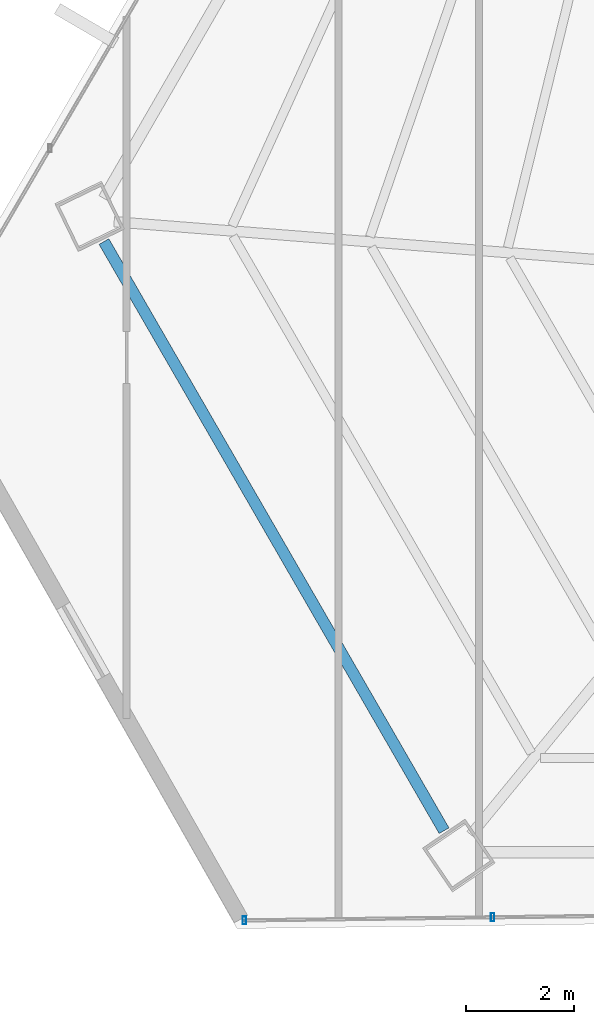
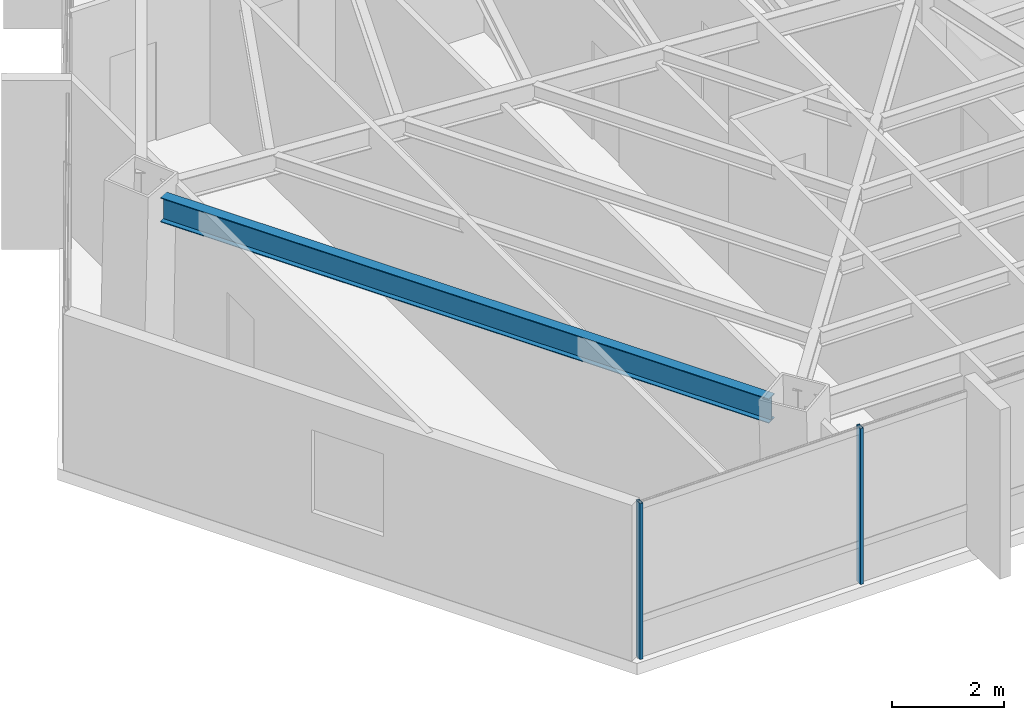
# One storey, part 2 of 42: 2 members, 1 beam, 1 element without a shape of its own.
"""IFC4 building model written with IfcOpenShell, lengths in metres."""

from ifc_helpers import new_model, si_unit, direction, frame, origin, origin_2d, place, context, subcontext, project, spatial, hollow_rectangle, i_section, extrude, source, transform, mapped, material, material_profile, profile_set, type_object, type_shapes, element, aggregate, save


model = new_model("IFC4")

# Units and contexts
model_context = context("Model", 3, precision=1e-05, world=origin(), true_north=direction((0.0, 1.0)))
body_context = subcontext(model_context, "Body", "Model", "MODEL_VIEW")
ifc_project = project(units=[si_unit("LENGTHUNIT", "METRE"), si_unit("AREAUNIT", "SQUARE_METRE"), si_unit("VOLUMEUNIT", "CUBIC_METRE"), si_unit("PLANEANGLEUNIT", "RADIAN"), si_unit("MASSUNIT", "GRAM", prefix="KILO")], contexts=[model_context])

# Site, building, storey
site_placement = place(None, origin())
site = spatial("IfcSite", under=ifc_project, at=site_placement, CompositionType="ELEMENT")
building_placement = place(site_placement, origin())
building = spatial("IfcBuilding", under=site, at=building_placement, Name="Caelisora Broadcast Tower", CompositionType="ELEMENT")
storey_placement = place(building_placement, frame((0.0, 0.0, 131.800048828125)))
storey = spatial("IfcBuildingStorey", under=building, at=storey_placement, Name="L34", CompositionType="ELEMENT", Elevation=131.800048828125)

# Beam
ifc_material_1 = material(Name="Steel Grade 350 (AS/NZS 3679.1)", Category="steel")
ifc_material_profile_1 = material_profile(ifc_material_1, i_section(OverallWidth=0.208984375, OverallDepth=0.532958984375, WebThickness=0.01025390625, FlangeThickness=0.015625, at=origin_2d()), Name="Steel Grade 350 (AS/NZS 3679.1)")
ifc_profile_set_1 = profile_set([ifc_material_profile_1], Name="Steel Grade 350 (AS/NZS 3679.1)")
beam_type = type_object("IfcBeamType", Name="PG05", PredefinedType="BEAM", material=ifc_profile_set_1)
shared_shape_1 = source(origin(), body_context, "Body", "SweptSolid", [
    extrude(i_section(OverallWidth=0.208984375, OverallDepth=0.532958984375, WebThickness=0.01025390625, FlangeThickness=0.015625, at=origin_2d()), origin(), (0.0, 0.0, 1.0), 12.55029296875),
])
type_shapes(beam_type, [shared_shape_1])
beam_placement = place(storey_placement, frame((15.409912109375, 18.20361328125, 3.133544921875), z_axis=(0.499999173725, -0.866025880834, 0.0), x_axis=(0.866025880834, 0.499999173725, 0.0)))
element("IfcBeam", 1, at=beam_placement, inside=storey, type_object=beam_type, Name="L34 beam PG05", PredefinedType="BEAM", context=body_context, shape_type="MappedRepresentation", body=[
    mapped(shared_shape_1, transform((0.0, 0.0, 0.0), scale=1.0)),
])

# Curtain wall, members
ifc_material_2 = material(Name="Unitised Aluminium and Low-E Glass Curtain Wall", Category="glass")
curtain_wall_type = type_object("IfcCurtainWallType", Name="CW-Z3", PredefinedType="NOTDEFINED", material=ifc_material_2)
curtain_wall_placement = place(storey_placement, origin())
curtain_wall = element("IfcCurtainWall", 2, at=curtain_wall_placement, inside=storey, type_object=curtain_wall_type, Name="L34 curtain wall CW-Z3", PredefinedType="NOTDEFINED")
ifc_material_3 = material(Name="Aluminium 6063-T6 Anodised Terracotta Bronze", Category="aluminium")
ifc_material_profile_2 = material_profile(ifc_material_3, hollow_rectangle(XDim=0.06005859375, YDim=0.14990234375, WallThickness=0.00341796875, at=origin_2d()), Name="Aluminium 6063-T6 Anodised Terracotta Bronze")
ifc_profile_set_2 = profile_set([ifc_material_profile_2], Name="Aluminium 6063-T6 Anodised Terracotta Bronze")
member_type = type_object("IfcMemberType", Name="CWM-03", PredefinedType="MULLION", material=ifc_profile_set_2)
shared_shape_2 = source(origin(), body_context, "Body", "SweptSolid", [
    extrude(hollow_rectangle(XDim=0.06005859375, YDim=0.14990234375, WallThickness=0.00341796875, at=origin_2d()), origin(), (0.0, 0.0, 1.0), 3.39990234375),
])
type_shapes(member_type, [shared_shape_2])
member_1_placement = place(storey_placement, frame((22.58056640625, 5.737060546875, 0.0), z_axis=(0.0, 0.0, 1.0), x_axis=(1.0, 0.0, 0.0)))
member_1 = element("IfcMember", 3, at=member_1_placement, type_object=member_type, Name="L34-CW-B07 mullion #2", PredefinedType="MULLION", context=body_context, shape_type="MappedRepresentation", body=[
    mapped(shared_shape_2, transform((0.0, 0.0, 0.0), scale=1.0)),
])
member_2_placement = place(storey_placement, frame((18.001953125, 5.6796875, 0.0), z_axis=(0.0, 0.0, 1.0), x_axis=(1.0, 0.0, 0.0)))
member_2 = element("IfcMember", 4, at=member_2_placement, type_object=member_type, Name="L34-CW-B07 mullion #3", PredefinedType="MULLION", context=body_context, shape_type="MappedRepresentation", body=[
    mapped(shared_shape_2, transform((0.0, 0.0, 0.0), scale=1.0)),
])
aggregate(curtain_wall, [member_1, member_2])

save(model, "model.ifc")
